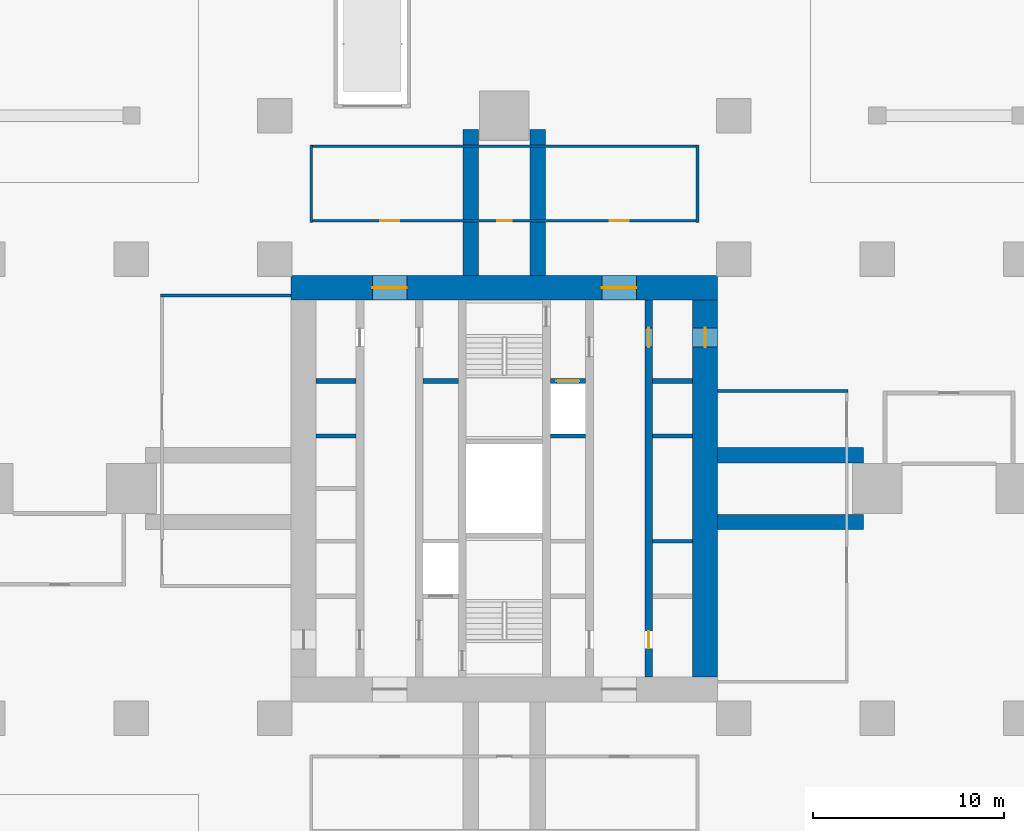
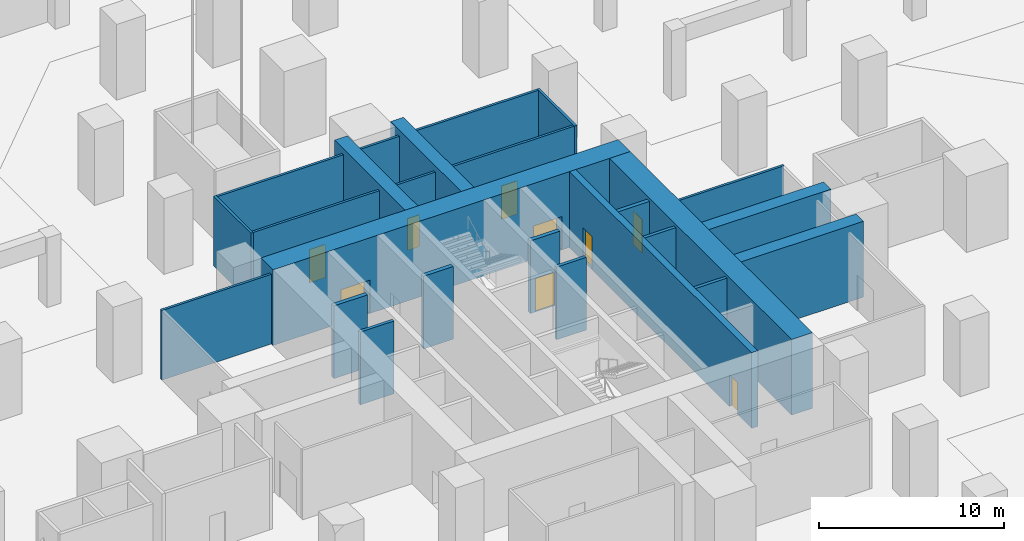
# One storey, part 6 of 20: 21 walls, 9 doors, 9 openings.
"""IFC4 building model written with IfcOpenShell, lengths in metres."""

from ifc_helpers import new_model, si_unit, direction, frame, frame_2d, origin, place, context, subcontext, project, spatial, rectangle, extrude, material, layer, layer_set, type_object, element, fill, save


model = new_model("IFC4")

# Units and contexts
model_context = context("Model", 3, precision=1e-05, world=origin(), true_north=direction((0.0, 1.0)))
body_context = subcontext(model_context, "Body", "Model", "MODEL_VIEW")
ifc_project = project(units=[si_unit("LENGTHUNIT", "METRE"), si_unit("AREAUNIT", "SQUARE_METRE"), si_unit("VOLUMEUNIT", "CUBIC_METRE"), si_unit("PLANEANGLEUNIT", "RADIAN"), si_unit("MASSUNIT", "GRAM", prefix="KILO")], contexts=[model_context])

# Site, building, storey
site_placement = place(None, origin())
site = spatial("IfcSite", under=ifc_project, at=site_placement, CompositionType="ELEMENT")
building_placement = place(site_placement, origin())
building = spatial("IfcBuilding", under=site, at=building_placement, Name="Mizan Broadcast Tower", CompositionType="ELEMENT")
storey_placement = place(building_placement, frame((0.0, 0.0, -5.0)))
storey = spatial("IfcBuildingStorey", under=building, at=storey_placement, Name="B1", CompositionType="ELEMENT", Elevation=-5.0)

# Wall, openings, doors
ifc_material_1 = material(Name="Concrete C70/85", Category="concrete")
ifc_layer_1 = layer(ifc_material_1, 0.39990234375)
ifc_layer_set_1 = layer_set([ifc_layer_1], Name="Concrete C70/85")
wall_type_1 = type_object("IfcWallType", Name="CORE INTERNAL WALL 400", PredefinedType="SHEAR", material=ifc_layer_set_1)
wall_1_placement = place(storey_placement, frame((7.550048828125, 9.85009765625, 0.0), z_axis=(0.0, 0.0, 1.0), x_axis=(0.0, -1.0, 0.0)))
wall_1 = element("IfcWall", 1, at=wall_1_placement, inside=storey, type_object=wall_type_1, Name="Core wall CORE/XW1E", PredefinedType="SHEAR", context=body_context, shape_type="SweptSolid", body=[
    extrude(rectangle(XDim=19.7001953125, YDim=0.39990234375, at=frame_2d((9.85009765625, 0.0))), origin(), (0.0, 0.0, 1.0), 5.0),
])
opening_1_placement = place(wall_1_placement, frame((1.449951171875, 0.0, 0.0)))
opening_1 = element("IfcOpeningElement", 2, at=opening_1_placement, cuts=wall_1, Name="Opening D10F", PredefinedType="OPENING", context=body_context, shape_type="SweptSolid", body=[
    extrude(rectangle(XDim=1.0, YDim=2.199951171875, at=frame_2d((0.5, 1.10009765625))), frame((0.0, 0.2099609375, 0.0), z_axis=(0.0, -1.0, 0.0), x_axis=(1.0, 0.0, 0.0)), (0.0, 0.0, 1.0), 0.419921875),
])
opening_2_placement = place(wall_1_placement, frame((17.300048828125, 0.0, 0.0)))
opening_2 = element("IfcOpeningElement", 3, at=opening_2_placement, cuts=wall_1, Name="Opening D09", PredefinedType="OPENING", context=body_context, shape_type="SweptSolid", body=[
    extrude(rectangle(XDim=0.89990234375, YDim=2.10009765625, at=frame_2d((0.449951171875, 1.050048828125))), frame((0.0, 0.2099609375, 0.0), z_axis=(0.0, -1.0, 0.0), x_axis=(1.0, 0.0, 0.0)), (0.0, 0.0, 1.0), 0.419921875),
])
ifc_material_2 = material(Name="Steel door leaf in steel frame", Category="steel")
door_type_1 = type_object("IfcDoorType", Name="FIRE DOOR 1000 FD90", OperationType="SINGLE_SWING_LEFT", PredefinedType="DOOR", material=ifc_material_2)
door_1_placement = place(opening_1_placement, origin())
door_1 = element("IfcDoor", 4, at=door_1_placement, inside=storey, type_object=door_type_1, Name="East core passage door", OperationType="SINGLE_SWING_LEFT", OverallHeight=2.199951171875, OverallWidth=1.0, PredefinedType="DOOR", context=body_context, shape_type="SweptSolid", body=[
    extrude(rectangle(XDim=1.0, YDim=2.199951171875, at=frame_2d((0.5, 1.10009765625))), frame((0.0, 0.02490234375, 0.0), z_axis=(0.0, -1.0, 0.0), x_axis=(1.0, 0.0, 0.0)), (0.0, 0.0, 1.0), 0.050048828125),
])
fill(opening_1, door_1)
ifc_material_3 = material(Name="Timber door leaf in aluminium frame", Category="wood")
door_type_2 = type_object("IfcDoorType", Name="TOILET DOOR 900", OperationType="SINGLE_SWING_LEFT", PredefinedType="DOOR", material=ifc_material_3)
door_2_placement = place(opening_2_placement, origin())
door_2 = element("IfcDoor", 5, at=door_2_placement, inside=storey, type_object=door_type_2, Name="Female WC door", OperationType="SINGLE_SWING_RIGHT", OverallHeight=2.10009765625, OverallWidth=0.89990234375, PredefinedType="DOOR", context=body_context, shape_type="SweptSolid", body=[
    extrude(rectangle(XDim=0.89990234375, YDim=2.10009765625, at=frame_2d((0.449951171875, 1.050048828125))), frame((0.0, 0.02490234375, 0.0), z_axis=(0.0, -1.0, 0.0), x_axis=(1.0, 0.0, 0.0)), (0.0, 0.0, 1.0), 0.050048828125),
])
fill(opening_2, door_2)

ifc_material_4 = material(Name="Concrete C70/85", Category="concrete")
ifc_layer_2 = layer(ifc_material_4, 1.300048828125)
ifc_layer_set_2 = layer_set([ifc_layer_2], Name="Concrete C70/85")
wall_type_2 = type_object("IfcWallType", Name="CORE WALL 1300", PredefinedType="SHEAR", material=ifc_layer_set_2)
wall_2_placement = place(storey_placement, frame((-11.14990234375, 10.5, 0.0), z_axis=(0.0, 0.0, 1.0), x_axis=(1.0, 0.0, 0.0)))
wall_2 = element("IfcWall", 6, at=wall_2_placement, inside=storey, type_object=wall_type_2, Name="Core wall N B1", PredefinedType="SHEAR", context=body_context, shape_type="SweptSolid", body=[
    extrude(rectangle(XDim=22.2998046875, YDim=1.300048828125, at=frame_2d((11.14990234375, 0.0))), origin(), (0.0, 0.0, 1.0), 5.0),
])
opening_3_placement = place(wall_2_placement, frame((4.25, 0.0, 0.0)))
opening_3 = element("IfcOpeningElement", 7, at=opening_3_placement, cuts=wall_2, Name="Opening D18F", PredefinedType="OPENING", context=body_context, shape_type="SweptSolid", body=[
    extrude(rectangle(XDim=1.800048828125, YDim=2.199951171875, at=frame_2d((0.89990234375, 1.10009765625))), frame((0.0, 0.659912109375, 0.0), z_axis=(0.0, -1.0, 0.0), x_axis=(1.0, 0.0, 0.0)), (0.0, 0.0, 1.0), 1.320068359375),
])
opening_4_placement = place(wall_2_placement, frame((16.25, 0.0, 0.0)))
opening_4 = element("IfcOpeningElement", 8, at=opening_4_placement, cuts=wall_2, Name="Opening D18F", PredefinedType="OPENING", context=body_context, shape_type="SweptSolid", body=[
    extrude(rectangle(XDim=1.800048828125, YDim=2.199951171875, at=frame_2d((0.89990234375, 1.10009765625))), frame((0.0, 0.659912109375, 0.0), z_axis=(0.0, -1.0, 0.0), x_axis=(1.0, 0.0, 0.0)), (0.0, 0.0, 1.0), 1.320068359375),
])
ifc_material_5 = material(Name="Steel door leaf in steel frame", Category="steel")
door_type_3 = type_object("IfcDoorType", Name="LOBBY DOUBLE DOOR 1800 FD90", OperationType="DOUBLE_DOOR_DOUBLE_SWING", PredefinedType="DOOR", material=ifc_material_5)
door_3_placement = place(opening_3_placement, origin())
door_3 = element("IfcDoor", 9, at=door_3_placement, inside=storey, type_object=door_type_3, Name="West lift lobby north door", OperationType="DOUBLE_DOOR_DOUBLE_SWING", OverallHeight=2.199951171875, OverallWidth=1.800048828125, PredefinedType="DOOR", context=body_context, shape_type="SweptSolid", body=[
    extrude(rectangle(XDim=1.800048828125, YDim=2.199951171875, at=frame_2d((0.89990234375, 1.10009765625))), frame((0.0, 0.02490234375, 0.0), z_axis=(0.0, -1.0, 0.0), x_axis=(1.0, 0.0, 0.0)), (0.0, 0.0, 1.0), 0.050048828125),
])
fill(opening_3, door_3)
door_4_placement = place(opening_4_placement, origin())
door_4 = element("IfcDoor", 10, at=door_4_placement, inside=storey, type_object=door_type_3, Name="East lift lobby north door", OperationType="DOUBLE_DOOR_DOUBLE_SWING", OverallHeight=2.199951171875, OverallWidth=1.800048828125, PredefinedType="DOOR", context=body_context, shape_type="SweptSolid", body=[
    extrude(rectangle(XDim=1.800048828125, YDim=2.199951171875, at=frame_2d((0.89990234375, 1.10009765625))), frame((0.0, 0.02490234375, 0.0), z_axis=(0.0, -1.0, 0.0), x_axis=(1.0, 0.0, 0.0)), (0.0, 0.0, 1.0), 0.050048828125),
])
fill(opening_4, door_4)

# Wall, opening, door
wall_3_placement = place(storey_placement, frame((10.5, -9.85009765625, 0.0), z_axis=(0.0, 0.0, 1.0), x_axis=(0.0, 1.0, 0.0)))
wall_3 = element("IfcWall", 11, at=wall_3_placement, inside=storey, type_object=wall_type_2, Name="Core wall E B1", PredefinedType="SHEAR", context=body_context, shape_type="SweptSolid", body=[
    extrude(rectangle(XDim=19.7001953125, YDim=1.300048828125, at=frame_2d((9.85009765625, 0.0))), origin(), (0.0, 0.0, 1.0), 5.0),
])
opening_5_placement = place(wall_3_placement, frame((17.25, 0.0, 0.0)))
opening_5 = element("IfcOpeningElement", 12, at=opening_5_placement, cuts=wall_3, Name="Opening D10F", PredefinedType="OPENING", context=body_context, shape_type="SweptSolid", body=[
    extrude(rectangle(XDim=1.0, YDim=2.199951171875, at=frame_2d((0.5, 1.10009765625))), frame((0.0, 0.659912109375, 0.0), z_axis=(0.0, -1.0, 0.0), x_axis=(1.0, 0.0, 0.0)), (0.0, 0.0, 1.0), 1.320068359375),
])
door_5_placement = place(opening_5_placement, origin())
door_5 = element("IfcDoor", 13, at=door_5_placement, inside=storey, type_object=door_type_1, Name="East core passage arm door", OperationType="SINGLE_SWING_RIGHT", OverallHeight=2.199951171875, OverallWidth=1.0, PredefinedType="DOOR", context=body_context, shape_type="SweptSolid", body=[
    extrude(rectangle(XDim=1.0, YDim=2.199951171875, at=frame_2d((0.5, 1.10009765625))), frame((0.0, 0.02490234375, 0.0), z_axis=(0.0, -1.0, 0.0), x_axis=(1.0, 0.0, 0.0)), (0.0, 0.0, 1.0), 0.050048828125),
])
fill(opening_5, door_5)

# Walls
ifc_material_6 = material(Name="Concrete blockwork", Category="masonry")
ifc_layer_3 = layer(ifc_material_6, 0.199951171875)
ifc_layer_set_3 = layer_set([ifc_layer_3], Name="Concrete blockwork")
wall_type_3 = type_object("IfcWallType", Name="LIFT SHAFT WALL 200", PredefinedType="SOLIDWALL", material=ifc_layer_set_3)
for number, where, z_axis, x_axis, name in (
    (14, (7.75, -2.75, 0.0), (0.0, 0.0, 1.0), (1.0, 0.0, 0.0), "Lift shaft wall CORE/SE1-1"),
    (15, (-9.85009765625, 2.75, 0.0), (0.0, 0.0, 1.0), (1.0, 0.0, 0.0), "Lift shaft wall CORE/SW1-3"),
):
    element("IfcWall", number, at=place(storey_placement, frame(where, z_axis=z_axis, x_axis=x_axis)), inside=storey, type_object=wall_type_3, Name=name, PredefinedType="SOLIDWALL", context=body_context, shape_type="SweptSolid", body=[
        extrude(rectangle(XDim=2.10009765625, YDim=0.199951171875, at=frame_2d((1.050048828125, 0.0))), origin(), (0.0, 0.0, 1.0), 4.800048828125),
    ])
wall_4_placement = place(storey_placement, frame((2.39990234375, 2.75, 0.0), z_axis=(0.0, 0.0, 1.0), x_axis=(1.0, 0.0, 0.0)))
element("IfcWall", 16, at=wall_4_placement, inside=storey, type_object=wall_type_3, Name="Lift shaft wall CORE/SE2-3", PredefinedType="SOLIDWALL", context=body_context, shape_type="SweptSolid", body=[
    extrude(rectangle(XDim=1.85009765625, YDim=0.199951171875, at=frame_2d((0.925048828125, 0.0))), origin(), (0.0, 0.0, 1.0), 4.800048828125),
])
wall_5_placement = place(storey_placement, frame((7.75, 2.75, 0.0), z_axis=(0.0, 0.0, 1.0), x_axis=(1.0, 0.0, 0.0)))
element("IfcWall", 17, at=wall_5_placement, inside=storey, type_object=wall_type_3, Name="Lift shaft wall CORE/SE1-3", PredefinedType="SOLIDWALL", context=body_context, shape_type="SweptSolid", body=[
    extrude(rectangle(XDim=2.10009765625, YDim=0.199951171875, at=frame_2d((1.050048828125, 0.0))), origin(), (0.0, 0.0, 1.0), 4.800048828125),
])
ifc_material_7 = material(Name="Concrete blockwork", Category="masonry")
ifc_layer_4 = layer(ifc_material_7, 0.25)
ifc_layer_set_4 = layer_set([ifc_layer_4], Name="Concrete blockwork")
wall_type_4 = type_object("IfcWallType", Name="LOBBY ENCLOSURE WALL 250", PredefinedType="SOLIDWALL", material=ifc_layer_set_4)
wall_6_placement = place(storey_placement, frame((-9.85009765625, 5.625, 0.0), z_axis=(0.0, 0.0, 1.0), x_axis=(1.0, 0.0, 0.0)))
element("IfcWall", 18, at=wall_6_placement, inside=storey, type_object=wall_type_4, Name="Lobby enclosure wall CORE/BW1N", PredefinedType="SOLIDWALL", context=body_context, shape_type="SweptSolid", body=[
    extrude(rectangle(XDim=2.10009765625, YDim=0.25, at=frame_2d((1.050048828125, 0.0))), origin(), (0.0, 0.0, 1.0), 4.800048828125),
])
wall_7_placement = place(storey_placement, frame((-4.25, 5.625, 0.0), z_axis=(0.0, 0.0, 1.0), x_axis=(1.0, 0.0, 0.0)))
element("IfcWall", 19, at=wall_7_placement, inside=storey, type_object=wall_type_4, Name="Lobby enclosure wall CORE/BW2N", PredefinedType="SOLIDWALL", context=body_context, shape_type="SweptSolid", body=[
    extrude(rectangle(XDim=1.85009765625, YDim=0.25, at=frame_2d((0.925048828125, 0.0))), origin(), (0.0, 0.0, 1.0), 4.800048828125),
])

# Wall, opening, door
wall_8_placement = place(storey_placement, frame((2.39990234375, 5.625, 0.0), z_axis=(0.0, 0.0, 1.0), x_axis=(1.0, 0.0, 0.0)))
wall_8 = element("IfcWall", 20, at=wall_8_placement, inside=storey, type_object=wall_type_4, Name="Lobby enclosure wall CORE/BE2N", PredefinedType="SOLIDWALL", context=body_context, shape_type="SweptSolid", body=[
    extrude(rectangle(XDim=1.85009765625, YDim=0.25, at=frame_2d((0.925048828125, 0.0))), origin(), (0.0, 0.0, 1.0), 4.800048828125),
])
opening_6_placement = place(wall_8_placement, frame((0.324951171875, 0.0, 0.0)))
opening_6 = element("IfcOpeningElement", 21, at=opening_6_placement, cuts=wall_8, Name="Opening LDF", PredefinedType="OPENING", context=body_context, shape_type="SweptSolid", body=[
    extrude(rectangle(XDim=1.199951171875, YDim=2.199951171875, at=frame_2d((0.60009765625, 1.10009765625))), frame((0.0, 0.135009765625, 0.0), z_axis=(0.0, -1.0, 0.0), x_axis=(1.0, 0.0, 0.0)), (0.0, 0.0, 1.0), 0.27001953125),
])
ifc_material_8 = material(Name="Steel door leaf in steel frame", Category="steel")
door_type_4 = type_object("IfcDoorType", Name="FIREFIGHTING LIFT LANDING DOOR 1200", OperationType="SLIDING_TO_LEFT", PredefinedType="DOOR", material=ifc_material_8)
door_6_placement = place(opening_6_placement, origin())
door_6 = element("IfcDoor", 22, at=door_6_placement, inside=storey, type_object=door_type_4, Name="Landing door FF2", OperationType="SLIDING_TO_LEFT", OverallHeight=2.199951171875, OverallWidth=1.199951171875, PredefinedType="DOOR", context=body_context, shape_type="SweptSolid", body=[
    extrude(rectangle(XDim=1.199951171875, YDim=2.199951171875, at=frame_2d((0.60009765625, 1.10009765625))), frame((0.0, 0.02490234375, 0.0), z_axis=(0.0, -1.0, 0.0), x_axis=(1.0, 0.0, 0.0)), (0.0, 0.0, 1.0), 0.050048828125),
])
fill(opening_6, door_6)

# Walls
wall_9_placement = place(storey_placement, frame((7.75, 5.625, 0.0), z_axis=(0.0, 0.0, 1.0), x_axis=(1.0, 0.0, 0.0)))
element("IfcWall", 23, at=wall_9_placement, inside=storey, type_object=wall_type_4, Name="Lobby enclosure wall CORE/BE1N", PredefinedType="SOLIDWALL", context=body_context, shape_type="SweptSolid", body=[
    extrude(rectangle(XDim=2.10009765625, YDim=0.25, at=frame_2d((1.050048828125, 0.0))), origin(), (0.0, 0.0, 1.0), 4.800048828125),
])
ifc_material_9 = material(Name="Concrete blockwork", Category="masonry")
ifc_layer_5 = layer(ifc_material_9, 0.14990234375)
ifc_layer_set_5 = layer_set([ifc_layer_5], Name="Concrete blockwork")
wall_type_5 = type_object("IfcWallType", Name="PLANT ROOM ENCLOSURE WALL 150", PredefinedType="SOLIDWALL", material=ifc_layer_set_5)
wall_10_placement = place(storey_placement, frame((11.14990234375, 5.10009765625, 0.0), z_axis=(0.0, 0.0, 1.0), x_axis=(1.0, 0.0, 0.0)))
element("IfcWall", 24, at=wall_10_placement, inside=storey, type_object=wall_type_5, Name="Plant room wall PT/EN", PredefinedType="SOLIDWALL", context=body_context, shape_type="SweptSolid", body=[
    extrude(rectangle(XDim=6.8251953125, YDim=0.14990234375, at=frame_2d((3.41259765625, 0.0))), origin(), (0.0, 0.0, 1.0), 4.60009765625),
])
for number, where, z_axis, x_axis, name in (
    (25, (10.10009765625, 13.925048828125, 0.0), (0.0, 0.0, 1.0), (0.0, 1.0, 0.0), "Plant room wall PT/NS"),
    (26, (-10.10009765625, 13.925048828125, 0.0), (0.0, 0.0, 1.0), (0.0, 1.0, 0.0), "Plant room wall PT/NN"),
):
    element("IfcWall", number, at=place(storey_placement, frame(where, z_axis=z_axis, x_axis=x_axis)), inside=storey, type_object=wall_type_5, Name=name, PredefinedType="SOLIDWALL", context=body_context, shape_type="SweptSolid", body=[
        extrude(rectangle(XDim=4.050048828125, YDim=0.14990234375, at=frame_2d((2.02490234375, 0.0))), origin(), (0.0, 0.0, 1.0), 4.60009765625),
    ])
wall_11_placement = place(storey_placement, frame((10.02490234375, 17.89990234375, 0.0), z_axis=(0.0, 0.0, 1.0), x_axis=(-1.0, 0.0, 0.0)))
element("IfcWall", 27, at=wall_11_placement, inside=storey, type_object=wall_type_5, Name="Plant room wall PT/NX", PredefinedType="SOLIDWALL", context=body_context, shape_type="SweptSolid", body=[
    extrude(rectangle(XDim=20.0498046875, YDim=0.14990234375, at=frame_2d((10.02490234375, 0.0))), origin(), (0.0, 0.0, 1.0), 4.60009765625),
])

# Wall, openings, doors
wall_12_placement = place(storey_placement, frame((10.02490234375, 14.0, 0.0), z_axis=(0.0, 0.0, 1.0), x_axis=(-1.0, 0.0, 0.0)))
wall_12 = element("IfcWall", 28, at=wall_12_placement, inside=storey, type_object=wall_type_5, Name="Plant room wall PT/NY", PredefinedType="SOLIDWALL", context=body_context, shape_type="SweptSolid", body=[
    extrude(rectangle(XDim=20.0498046875, YDim=0.14990234375, at=frame_2d((10.02490234375, 0.0))), origin(), (0.0, 0.0, 1.0), 4.60009765625),
])
opening_7_placement = place(wall_12_placement, frame((9.64990234375, 0.0, 0.0)))
opening_7 = element("IfcOpeningElement", 29, at=opening_7_placement, cuts=wall_12, Name="Opening D07R", PredefinedType="OPENING", context=body_context, shape_type="SweptSolid", body=[
    extrude(rectangle(XDim=0.75, YDim=2.10009765625, at=frame_2d((0.375, 1.050048828125))), frame((0.0, 0.0849609375, 0.0), z_axis=(0.0, -1.0, 0.0), x_axis=(1.0, 0.0, 0.0)), (0.0, 0.0, 1.0), 0.169921875),
])
opening_8_placement = place(wall_12_placement, frame((3.52490234375, 0.0, 0.0)))
opening_8 = element("IfcOpeningElement", 30, at=opening_8_placement, cuts=wall_12, Name="Opening D10F", PredefinedType="OPENING", context=body_context, shape_type="SweptSolid", body=[
    extrude(rectangle(XDim=1.0, YDim=2.199951171875, at=frame_2d((0.5, 1.10009765625))), frame((0.0, 0.0849609375, 0.0), z_axis=(0.0, -1.0, 0.0), x_axis=(1.0, 0.0, 0.0)), (0.0, 0.0, 1.0), 0.169921875),
])
opening_9_placement = place(wall_12_placement, frame((15.52490234375, 0.0, 0.0)))
opening_9 = element("IfcOpeningElement", 31, at=opening_9_placement, cuts=wall_12, Name="Opening D10F", PredefinedType="OPENING", context=body_context, shape_type="SweptSolid", body=[
    extrude(rectangle(XDim=1.0, YDim=2.199951171875, at=frame_2d((0.5, 1.10009765625))), frame((0.0, 0.0849609375, 0.0), z_axis=(0.0, -1.0, 0.0), x_axis=(1.0, 0.0, 0.0)), (0.0, 0.0, 1.0), 0.169921875),
])
door_7_placement = place(opening_8_placement, origin())
door_7 = element("IfcDoor", 32, at=door_7_placement, inside=storey, type_object=door_type_1, Name="Archive door", OperationType="SINGLE_SWING_LEFT", OverallHeight=2.199951171875, OverallWidth=1.0, PredefinedType="DOOR", context=body_context, shape_type="SweptSolid", body=[
    extrude(rectangle(XDim=1.0, YDim=2.199951171875, at=frame_2d((0.5, 1.10009765625))), frame((0.0, 0.02490234375, 0.0), z_axis=(0.0, -1.0, 0.0), x_axis=(1.0, 0.0, 0.0)), (0.0, 0.0, 1.0), 0.050048828125),
])
fill(opening_8, door_7)
door_8_placement = place(opening_9_placement, origin())
door_8 = element("IfcDoor", 33, at=door_8_placement, inside=storey, type_object=door_type_1, Name="Archive door", OperationType="SINGLE_SWING_RIGHT", OverallHeight=2.199951171875, OverallWidth=1.0, PredefinedType="DOOR", context=body_context, shape_type="SweptSolid", body=[
    extrude(rectangle(XDim=1.0, YDim=2.199951171875, at=frame_2d((0.5, 1.10009765625))), frame((0.0, 0.02490234375, 0.0), z_axis=(0.0, -1.0, 0.0), x_axis=(1.0, 0.0, 0.0)), (0.0, 0.0, 1.0), 0.050048828125),
])
fill(opening_9, door_8)
ifc_material_10 = material(Name="Steel door leaf in steel frame", Category="steel")
door_type_5 = type_object("IfcDoorType", Name="RISER ACCESS DOOR 750x2100 FD60", OperationType="SINGLE_SWING_LEFT", PredefinedType="DOOR", material=ifc_material_10)
door_9_placement = place(opening_7_placement, origin())
door_9 = element("IfcDoor", 34, at=door_9_placement, inside=storey, type_object=door_type_5, Name="Spine riser door", OperationType="SINGLE_SWING_LEFT", OverallHeight=2.10009765625, OverallWidth=0.75, PredefinedType="DOOR", context=body_context, shape_type="SweptSolid", body=[
    extrude(rectangle(XDim=0.75, YDim=2.10009765625, at=frame_2d((0.375, 1.050048828125))), frame((0.0, 0.02490234375, 0.0), z_axis=(0.0, -1.0, 0.0), x_axis=(1.0, 0.0, 0.0)), (0.0, 0.0, 1.0), 0.050048828125),
])
fill(opening_7, door_9)

# Walls
wall_13_placement = place(storey_placement, frame((-11.14990234375, 10.10009765625, 0.0), z_axis=(0.0, 0.0, 1.0), x_axis=(-1.0, 0.0, 0.0)))
element("IfcWall", 35, at=wall_13_placement, inside=storey, type_object=wall_type_5, Name="Plant room wall PT/WS", PredefinedType="SOLIDWALL", context=body_context, shape_type="SweptSolid", body=[
    extrude(rectangle(XDim=6.8251953125, YDim=0.14990234375, at=frame_2d((3.41259765625, 0.0))), origin(), (0.0, 0.0, 1.0), 4.60009765625),
])
ifc_material_11 = material(Name="Concrete C70/85", Category="concrete")
ifc_layer_6 = layer(ifc_material_11, 0.800048828125)
ifc_layer_set_6 = layer_set([ifc_layer_6], Name="Concrete C70/85")
wall_type_6 = type_object("IfcWallType", Name="SPINE WALL 800", PredefinedType="SHEAR", material=ifc_layer_set_6)
for number, where, z_axis, x_axis, name in (
    (36, (11.14990234375, -1.75, 0.0), (0.0, 0.0, 1.0), (1.0, 0.0, 0.0), "Spine wall ER B1"),
    (37, (11.14990234375, 1.75, 0.0), (0.0, 0.0, 1.0), (1.0, 0.0, 0.0), "Spine wall EL B1"),
    (38, (1.75, 11.14990234375, 0.0), (0.0, 0.0, 1.0), (0.0, 1.0, 0.0), "Spine wall NR B1"),
    (39, (-1.75, 11.14990234375, 0.0), (0.0, 0.0, 1.0), (0.0, 1.0, 0.0), "Spine wall NL B1"),
):
    element("IfcWall", number, at=place(storey_placement, frame(where, z_axis=z_axis, x_axis=x_axis)), inside=storey, type_object=wall_type_6, Name=name, PredefinedType="SHEAR", context=body_context, shape_type="SweptSolid", body=[
        extrude(rectangle(XDim=7.625, YDim=0.800048828125, at=frame_2d((3.8125, 0.0))), origin(), (0.0, 0.0, 1.0), 5.0),
    ])

save(model, "model.ifc")
